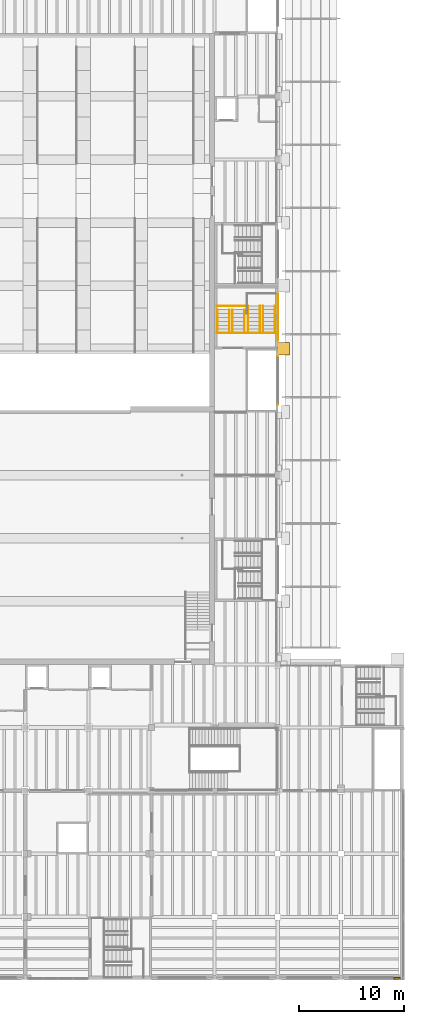
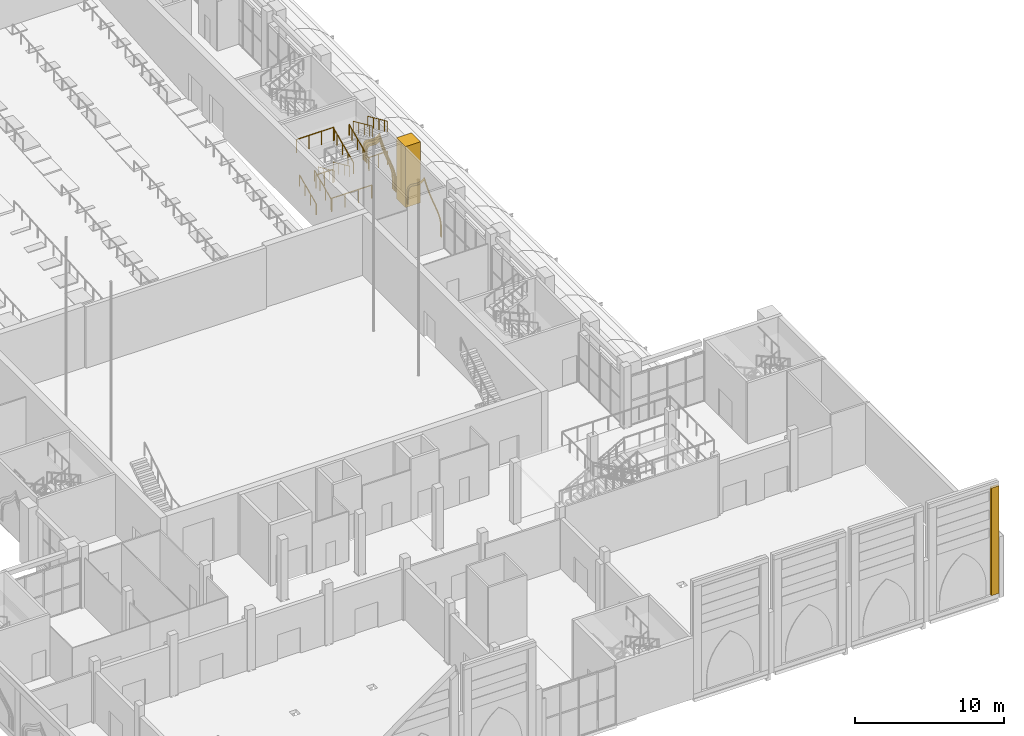
# One storey, part 66 of 80: 12 railings, 6 coverings.
"""IFC4 building model written with IfcOpenShell, lengths in metres."""

from ifc_helpers import new_model, si_unit, direction, frame, origin, origin_2d, place, context, subcontext, project, spatial, polyline, rectangle, circle, outline, extrude, material, layer, layer_set, type_object, element, save


model = new_model("IFC4")

# Units and contexts
model_context = context("Model", 3, precision=1e-05, world=origin(), true_north=direction((0.0, 1.0)))
body_context = subcontext(model_context, "Body", "Model", "MODEL_VIEW")
ifc_project = project(units=[si_unit("LENGTHUNIT", "METRE"), si_unit("AREAUNIT", "SQUARE_METRE"), si_unit("VOLUMEUNIT", "CUBIC_METRE"), si_unit("PLANEANGLEUNIT", "RADIAN"), si_unit("MASSUNIT", "GRAM", prefix="KILO")], contexts=[model_context])

# Site, building, storey
site_placement = place(None, origin())
site = spatial("IfcSite", under=ifc_project, at=site_placement, CompositionType="ELEMENT")
building_placement = place(site_placement, origin())
building = spatial("IfcBuilding", under=site, at=building_placement, Name="Saffron Lane Theatres", CompositionType="ELEMENT")
storey_placement = place(building_placement, frame((0.0, 0.0, 7.0)))
storey = spatial("IfcBuildingStorey", under=building, at=storey_placement, Name="L01", CompositionType="ELEMENT", Elevation=7.0)

# Coverings
ifc_material_1 = material(Name="Masonry sandstone", Category="masonry")
ifc_layer_1 = layer(ifc_material_1, 0.050048828125)
ifc_layer_set_1 = layer_set([ifc_layer_1], Name="Masonry sandstone")
covering_type_1 = type_object("IfcCoveringType", Name="EX-ARCH FRAME RING SANDSTONE 50", PredefinedType="CLADDING", material=ifc_layer_set_1)
covering_1_placement = place(storey_placement, frame((54.0, 61.2099609375, 1.2958984375), z_axis=(-1.0, 0.0, 0.0), x_axis=(0.0, 0.06442827163, 0.997922340573)))
element("IfcCovering", 1, at=covering_1_placement, inside=storey, type_object=covering_type_1, Name="Arch recess ring L01", PredefinedType="CLADDING", context=body_context, shape_type="SweptSolid", body=[
    extrude(outline(polyline([(0.0, 0.0), (0.17052029873114202, 1.734723475976807e-18), (0.3242466721669218, 0.024081254977071236), (0.46344242900309285, 0.06940650212296195), (0.5880131918886352, 0.13451394113409834), (0.7023363221821465, 0.21520657625605405), (0.8097754985831224, 0.31053329351799586), (0.9118316705185227, 0.41721675201932407), (1.013479573024326, 0.5327339305761084), (1.1188295145103184, 0.6563301599259349), (1.228274384393338, 0.786512180648223), (1.3482821771299438, 0.9211498609758806), (1.4813912939168246, 1.0578774753100109), (1.6295508018254126, 1.196569187182587), (1.7967137136804603, 1.3340339934919052), (1.986958878774747, 1.469029958207694), (2.2768445051640707, 1.6467673279258968), (2.012220549731055, 1.8603051727976225), (1.8409137730747478, 2.018643802332316), (1.692815086125706, 2.1764626573449113), (1.563719803123124, 2.333054606794249), (1.4492974018381697, 2.4857634525677375), (1.3475988151994112, 2.6347150311334024), (1.2558025099571002, 2.7778896671794207), (1.167220277835631, 2.914006625097878), (1.0812704747161264, 3.041635563702207), (0.9937798739547866, 3.160556618719107), (0.8994906084625739, 3.2689074104217855), (0.7964927602914423, 3.3636308117286897), (0.6813282733908765, 3.4442161363070785), (0.5491164405301731, 3.5070641116256507), (0.39976288435831203, 3.550712937380834), (0.2306582458924675, 3.5726399419344412), (-0.6634762731268586, 3.630367421641571), (-0.6712152159104848, 3.510499796748517), (0.21902116896597779, 3.4530239899774404), (0.37503252293367106, 3.4329209151187268), (0.50685251501477, 3.394318481277149), (0.6205328306841129, 3.340006413039703), (0.7222114932154338, 3.270322371595594), (0.8140812030640937, 3.185124790918292), (0.8998751087815435, 3.0853958945498916), (0.9836171809786733, 2.9728330766257725), (1.06683213819307, 2.84831649333063), (1.1541962033948943, 2.712278183204689), (1.248122290858553, 2.5679874475964257), (1.3515811898667036, 2.415986431955586), (1.4686755188227527, 2.2591906973371945), (1.6025567821592739, 2.097152126096779), (1.7564159829779704, 1.933823731059093), (1.9331924514444936, 1.7692603909060247), (2.069268862056587, 1.6601689117707128), (1.9202942134717833, 1.569481016084268), (1.723824337759122, 1.4290153595582635), (1.5502402705772806, 1.2868274911490194), (1.396634140877615, 1.143349798942504), (1.2603497505475334, 1.0029128051675502), (1.1382041360374564, 0.8654773607007713), (1.0265036474650626, 0.734462372469297), (0.9223718728987153, 0.6107874953269541), (0.8238363257020991, 0.4980051626752776), (0.7263151602560739, 0.39714513627761755), (0.6284094944910791, 0.3092763270207095), (0.5263470307322774, 0.23659947491203817), (0.41655191601325103, 0.1805686902487979), (0.29683144987863896, 0.14132553905751855), (0.16114198640572697, 0.11999416045256957), (0.0038408086407626125, 0.12011929782910696), (-0.8863955762357, 0.17759510460018418), (-0.8941345190193262, 0.057727479707130096), (0.0, 0.0)])), origin(), (0.0, 0.0, -1.0), 0.050048828125),
])
covering_2_placement = place(storey_placement, frame((54.0, 60.949951171875, 1.297119140625), z_axis=(-1.0, 0.0, 0.0), x_axis=(0.0, 0.067277250526, 0.997734319126)))
element("IfcCovering", 2, at=covering_2_placement, inside=storey, type_object=covering_type_1, Name="Arch recess ring L01", PredefinedType="CLADDING", context=body_context, shape_type="SweptSolid", body=[
    extrude(outline(polyline([(0.0, 0.0), (0.19233029031026627, -1.734723475976807e-18), (0.3686361813310119, 0.027262893416721473), (0.5275519096710343, 0.07967851847782519), (0.6708947742924419, 0.15516677446133414), (0.801502910238719, 0.24864238533224844), (0.9231258912040249, 0.3576502620084015), (1.0375317408204932, 0.47937954132705035), (1.1516202449156105, 0.6109180202958803), (1.2681994774824994, 0.7503634852332024), (1.390304674884545, 0.8955537098670809), (1.5227911616168623, 1.045916604517425), (1.6694413615935944, 1.199484255062579), (1.8330304985878798, 1.3538672728603438), (2.016903096883326, 1.5078613564498122), (2.2254737921748915, 1.6579877914978223), (2.5852450627263814, 1.8803809916168035), (2.258586813918305, 2.1490601516926007), (2.0721243166756658, 2.326802465068287), (1.9105241675290636, 2.5031130047050683), (1.7691417792436548, 2.6780602602125323), (1.6444355262159311, 2.849925483288521), (1.5333345326929018, 3.016713487930638), (1.4318264232205393, 3.1769819635369636), (1.3350887235237119, 3.3317901747481), (1.2396262941592646, 3.4764798983888334), (1.142598210914092, 3.6124661731803407), (1.0367104853209044, 3.7368151025888094), (0.9198337413277493, 3.846978625211365), (0.7879227532606154, 3.941027255485577), (0.6374823816763479, 4.014302770236232), (0.4664325258529695, 4.064987870501222), (0.27584329720183115, 4.090808143408288), (-0.619340692736567, 4.151170422628053), (-0.632792857819829, 3.951672276298924), (0.2563014451121856, 3.8917206248289538), (0.4241248514992556, 3.8693930121031563), (0.5646332999700076, 3.8266400003332506), (0.6859993674224233, 3.7685384980453724), (0.7931577147319555, 3.6920641156468856), (0.8911443426036292, 3.5993242257405083), (0.9838402256115377, 3.4898124390861174), (1.0746555884792561, 3.363298804143827), (1.16632195798919, 3.224003644458316), (1.2624602961251856, 3.071193408419198), (1.3657200041196895, 2.9078704821698738), (1.480373470016977, 2.735704338682526), (1.6104494943810679, 2.55638087603933), (1.7586139035544, 2.3731460678639413), (1.9292841224015533, 2.1861914371370204), (2.126083902075996, 1.9984536695620012), (2.2420303030465982, 1.9035239715952113), (2.114389223761854, 1.8250193836201942), (1.8941672372391434, 1.6654014043510899), (1.6999434106637878, 1.5030515883918443), (1.5285210457421055, 1.3413665245256619), (1.3755484180494837, 1.1811290396929053), (1.2388196043232536, 1.0259136097170671), (1.1145686057592639, 0.8779317362000586), (0.9987858360731082, 0.7394113458537825), (0.8892489468921257, 0.6136833270214762), (0.7822712757925029, 0.5005068813925057), (0.6757125999515381, 0.40443083471138436), (0.5661626946456565, 0.32568513851799763), (0.4497077350807808, 0.2642890070919583), (0.3216402227517218, 0.22300681743565523), (0.17674626991316658, 0.20072197197738367), (0.0073624780768782, 0.19990877407892305), (-0.8817318248551363, 0.2598604255488935), (-0.8951839899383982, 0.06036227921976477), (0.0, 0.0)])), origin(), (0.0, 0.0, -1.0), 0.050048828125),
])
covering_3_placement = place(storey_placement, frame((54.0, 60.75, 1.2958984375), z_axis=(-1.0, 0.0, 0.0), x_axis=(0.0, 0.067065646472, 0.997748565052)))
element("IfcCovering", 3, at=covering_3_placement, inside=storey, type_object=covering_type_1, Name="Arch recess ring L01", PredefinedType="CLADDING", context=body_context, shape_type="SweptSolid", body=[
    extrude(outline(polyline([(0.0, 0.0), (0.2074984191926236, -1.734723475976807e-18), (0.39502209255405735, 0.030460934429599087), (0.5642577725688886, 0.08735436036579791), (0.717006825863624, 0.16835697159344967), (0.8571974438937694, 0.27002373702473836), (0.9873453927117799, 0.38973863913971574), (1.112807662625058, 0.5234712242409627), (1.2368962863562354, 0.6695307182950527), (1.364579312989259, 0.8253809602518462), (1.4999159215703994, 0.9895256466896439), (1.6475487029811116, 1.1582270352158286), (1.809442758336358, 1.3315977291979), (1.9914586333089161, 1.5058181189990125), (2.196681143111999, 1.6794573949928495), (2.42863316452881, 1.85032122778061), (2.776077461779361, 2.068477613157778), (2.4609543525500626, 2.3311697793950295), (2.253955467173975, 2.531538567002596), (2.073817081002381, 2.7310806390702025), (1.9167543420705462, 2.928092869664417), (1.7795187006768023, 3.1215701588289084), (1.655791154580694, 3.3085115693691134), (1.54363934956495, 3.48929167983406), (1.4379622381804387, 3.6608276857849567), (1.334536906892433, 3.8221799810608545), (1.2281005845377642, 3.971500089463132), (1.1151447570076538, 4.107555693526036), (0.9898212305293306, 4.22706951819905), (0.8492867700734272, 4.327785761836828), (0.6892529683098338, 4.407790454445362), (0.5074272551466756, 4.462099173491861), (0.3017954091224526, 4.4898685427340315), (-0.5921834077088134, 4.549959099997454), (-0.6015653938973532, 4.410381480911809), (0.2885159676016784, 4.350552898829917), (0.4771455668939128, 4.324660443881734), (0.6383663000720692, 4.276875251559516), (0.7770827331991319, 4.207357034802879), (0.9003937617368865, 4.119788383334645), (1.0125694087921775, 4.012169438367741), (1.1171836822691663, 3.886706881200974), (1.2179231934395136, 3.74364229201819), (1.3196781456917779, 3.586562030623556), (1.4243808932432305, 3.4150915184680417), (1.538415932129709, 3.233206056579271), (1.6638302307104045, 3.0422362031160675), (1.804928569764272, 2.844339519030701), (1.9667137560473695, 2.6411372630123773), (2.1531978590338507, 2.434072596587418), (2.367842283260377, 2.2273173021695953), (2.5385762774713267, 2.0844417257822565), (2.350257199200182, 1.9657006129933607), (2.109873713388342, 1.789530921019154), (1.8973558267373267, 1.6092859638033192), (1.7098315788689158, 1.4295632334296131), (1.5435181285927948, 1.2523298417874182), (1.3936746443344354, 1.0798619855197642), (1.2563238142917952, 0.9148739228396727), (1.1296151514918304, 0.7589581870874968), (1.0077536040571458, 0.616908751733141), (0.8888395646681613, 0.4895873772421637), (0.7683102989132307, 0.3782795229756905), (0.6428066644976057, 0.2876154279151693), (0.5088201473125074, 0.216362774594851), (0.3620479773534, 0.1660342398852799), (0.1958824626238666, 0.14025496281157382), (0.005484530856305384, 0.13983959426717443), (-0.8845968306427262, 0.19966817634906692), (-0.893978816831266, 0.06009055726342237), (0.0, 0.0)])), origin(), (0.0, 0.0, -1.0), 0.050048828125),
])
covering_4_placement = place(storey_placement, frame((54.0, 54.699951171875, 1.236083984375), z_axis=(-1.0, 0.0, 0.0), x_axis=(0.0, 0.071247049988, 0.997458699831)))
element("IfcCovering", 4, at=covering_4_placement, inside=storey, type_object=covering_type_1, Name="Arch recess ring L01", PredefinedType="CLADDING", context=body_context, shape_type="SweptSolid", body=[
    extrude(outline(polyline([(0.0, 0.0), (0.2124539718145333, -1.734723475976807e-18), (0.40399999585429425, 0.029396365839738106), (0.5774211600094357, 0.08603220440434597), (0.7338828823339589, 0.16908998362609123), (0.8766031082008531, 0.27222078425556295), (1.01062618441102, 0.3940852452456252), (1.1395527309223448, 0.5302652145706606), (1.267453013774176, 0.6794909083807866), (1.3991626481756534, 0.8375007233442073), (1.5384040141798565, 1.0050078257327741), (1.690012726995926, 1.1777506122146908), (1.8569806061057759, 1.353067754994999), (2.0442302382151136, 1.531341928658594), (2.254353373921644, 1.707737517996336), (2.4933858350871354, 1.8810891049542235), (2.847951232292592, 2.1024837466158726), (2.5284527425030596, 2.3720258087771637), (2.3164858110693034, 2.5775916380635686), (2.133567359489016, 2.7820616264932267), (1.9735572001045478, 2.9851400709778075), (1.8332025989442835, 3.1824088194916955), (1.7076853350983958, 3.374946318592323), (1.5936657030987016, 3.560543492266883), (1.4857514701580299, 3.7356692977547428), (1.380359410617809, 3.901558730307158), (1.2720972916908682, 4.0546807471634985), (1.1567556929433513, 4.194356970650539), (1.03021216543797, 4.317699947082244), (0.8870744763875528, 4.421178633697985), (0.7234636970451997, 4.501888182512413), (0.5380404663637747, 4.55821092368938), (0.32774338766410976, 4.588407427297536), (-0.5063132644160335, 4.647982902446118), (-0.5162975922219565, 4.508202313163197), (0.3136192166215847, 4.448922541102944), (0.5072699508782736, 4.422117925860912), (0.6720287539753147, 4.371187417471117), (0.8143663052573129, 4.301053602639268), (0.9402662436880966, 4.209820502740199), (1.0547555217692541, 4.099331913501136), (1.1608259589826997, 3.9703531840918704), (1.2646525315847097, 3.823667057981509), (1.3674006576292854, 3.6618826800670687), (1.4740972896180153, 3.486843846075776), (1.5899955059435626, 3.3001334372451554), (1.7174957199111842, 3.1045171471660464), (1.861311786634826, 2.9008820851034343), (2.025844463840792, 2.6925853508248165), (2.2153205662622524, 2.480548842193806), (2.434575709108346, 2.2673643098081078), (2.610519046663938, 2.119443188446491), (2.4153376140676652, 1.9980309792385782), (2.168008072129656, 1.8181739243374588), (1.9503184162217726, 1.6352206841585444), (1.7578504943183986, 1.452423992673451), (1.5865514346794987, 1.2712971539224491), (1.4325423085581723, 1.0957886738496931), (1.2912832038336084, 0.9274466450940806), (1.1607911703840728, 0.7693498586340927), (1.0360914386059175, 0.6238117562784188), (0.9124701533851963, 0.49337190572682343), (0.7891445712528039, 0.3807786062708325), (0.6601136589455984, 0.287684316345224), (0.5225247513761733, 0.21527184830331295), (0.3716639934305824, 0.16608076984486358), (0.20140859175048967, 0.14005889807193567), (0.0058444845693207135, 0.1400762923712491), (-0.8240723242742205, 0.19935606443150206), (-0.8340566520801433, 0.05957547514858168), (0.0, 0.0)])), origin(), (0.0, 0.0, -1.0), 0.050048828125),
])
ifc_material_2 = material(Name="Masonry sandstone", Category="masonry")
ifc_layer_2 = layer(ifc_material_2, 1.199951171875)
ifc_layer_set_2 = layer_set([ifc_layer_2], Name="Masonry sandstone")
covering_type_2 = type_object("IfcCoveringType", Name="EX-FLANK BUTTRESS PIER SANDSTONE 1200", PredefinedType="CLADDING", material=ifc_layer_set_2)
covering_5_placement = place(storey_placement, frame((54.52490234375, 60.0, 0.0), z_axis=(0.0, 0.0, 1.0), x_axis=(0.0, 1.0, 0.0)))
element("IfcCovering", 5, at=covering_5_placement, inside=storey, type_object=covering_type_2, Name="Flank buttress east L01", PredefinedType="CLADDING", context=body_context, shape_type="SweptSolid", body=[
    extrude(rectangle(XDim=1.199951171875, YDim=1.14990234375, at=origin_2d()), origin(), (0.0, 0.0, 1.0), 5.0),
])
ifc_material_3 = material(Name="Masonry sandstone", Category="masonry")
ifc_layer_3 = layer(ifc_material_3, 0.14990234375)
ifc_layer_set_3 = layer_set([ifc_layer_3], Name="Masonry sandstone")
covering_type_3 = type_object("IfcCoveringType", Name="EX-PILASTER STRIP SANDSTONE 600", PredefinedType="CLADDING", material=ifc_layer_set_3)
covering_6_placement = place(storey_placement, frame((65.340087890625, 0.155029296875, 0.35009765625), z_axis=(0.0, 0.0, 1.0), x_axis=(-1.0, 0.0, 0.0)))
element("IfcCovering", 6, at=covering_6_placement, inside=storey, type_object=covering_type_3, Name="Pilaster strip L01", PredefinedType="CLADDING", context=body_context, shape_type="SweptSolid", body=[
    extrude(rectangle(XDim=0.60009765625, YDim=0.18994140625, at=origin_2d()), origin(), (0.0, 0.0, 1.0), 8.800048828125),
])

# Railings
ifc_material_4 = material(Name="Steel Grade 350", Category="steel")
railing_type_1 = type_object("IfcRailingType", Name="VC-GUARD 1100", PredefinedType="GUARDRAIL", material=ifc_material_4)
railing_1_placement = place(storey_placement, frame((48.22998046875, 64.090087890625, 3.666748046875)))
element("IfcRailing", 7, at=railing_1_placement, inside=storey, type_object=railing_type_1, Name="Auditorium East Front Stair landing guard 2N2s", PredefinedType="GUARDRAIL", context=body_context, shape_type="SweptSolid", body=[
    extrude(circle(Radius=0.02392578125, at=origin_2d()), frame((0.0, 0.0, 1.076171875), z_axis=(1.0, 0.0, 0.0), x_axis=(0.0, 1.0, 0.0)), (0.0, 0.0, 1.0), 2.8701171875),
    extrude(circle(Radius=0.02099609375, at=origin_2d()), origin(), (0.0, 0.0, 1.0), 1.052001953125),
    extrude(circle(Radius=0.02099609375, at=origin_2d()), frame((0.956787109375, 0.0, 0.0)), (0.0, 0.0, 1.0), 1.052001953125),
    extrude(circle(Radius=0.02099609375, at=origin_2d()), frame((1.913330078125, 0.0, 0.0)), (0.0, 0.0, 1.0), 1.052001953125),
    extrude(circle(Radius=0.02099609375, at=origin_2d()), frame((2.8701171875, 0.0, 0.0)), (0.0, 0.0, 1.0), 1.052001953125),
])
railing_2_placement = place(storey_placement, frame((48.22998046875, 61.5, 2.333251953125)))
element("IfcRailing", 8, at=railing_2_placement, inside=storey, type_object=railing_type_1, Name="Auditorium East Front Stair landing guard 2S2w", PredefinedType="GUARDRAIL", context=body_context, shape_type="SweptSolid", body=[
    extrude(circle(Radius=0.02392578125, at=origin_2d()), frame((0.0, 0.0, 1.076171875), z_axis=(1.0, 0.0, 0.0), x_axis=(0.0, 1.0, 0.0)), (0.0, 0.0, 1.0), 1.320068359375),
    extrude(circle(Radius=0.02099609375, at=origin_2d()), origin(), (0.0, 0.0, 1.0), 1.052001953125),
    extrude(circle(Radius=0.02099609375, at=origin_2d()), frame((0.66015625, 0.0, 0.0)), (0.0, 0.0, 1.0), 1.052001953125),
    extrude(circle(Radius=0.02099609375, at=origin_2d()), frame((1.320068359375, 0.0, 0.0)), (0.0, 0.0, 1.0), 1.052001953125),
])
railing_3_placement = place(storey_placement, frame((52.35009765625, 61.5, 2.333251953125)))
element("IfcRailing", 9, at=railing_3_placement, inside=storey, type_object=railing_type_1, Name="Auditorium East Front Stair landing guard 2S2e", PredefinedType="GUARDRAIL", context=body_context, shape_type="SweptSolid", body=[
    extrude(circle(Radius=0.02392578125, at=origin_2d()), frame((0.0, 0.0, 1.076171875), z_axis=(1.0, 0.0, 0.0), x_axis=(0.0, 1.0, 0.0)), (0.0, 0.0, 1.0), 1.419921875),
    extrude(circle(Radius=0.02099609375, at=origin_2d()), origin(), (0.0, 0.0, 1.0), 1.052001953125),
    extrude(circle(Radius=0.02099609375, at=origin_2d()), frame((0.7099609375, 0.0, 0.0)), (0.0, 0.0, 1.0), 1.052001953125),
    extrude(circle(Radius=0.02099609375, at=origin_2d()), frame((1.419921875, 0.0, 0.0)), (0.0, 0.0, 1.0), 1.052001953125),
])
railing_4_placement = place(storey_placement, frame((49.449951171875, 61.5, 0.0)))
element("IfcRailing", 10, at=railing_4_placement, inside=storey, type_object=railing_type_1, Name="Auditorium East Front Stair guard L01", PredefinedType="GUARDRAIL", context=body_context, shape_type="SweptSolid", body=[
    extrude(circle(Radius=0.02392578125, at=origin_2d()), frame((0.0, 0.0, 1.076171875), z_axis=(1.0, 0.0, 0.0), x_axis=(0.0, 1.0, 0.0)), (0.0, 0.0, 1.0), 3.10009765625),
    extrude(circle(Radius=0.02099609375, at=origin_2d()), origin(), (0.0, 0.0, 1.0), 1.052001953125),
    extrude(circle(Radius=0.02099609375, at=origin_2d()), frame((1.033447265625, 0.0, 0.0)), (0.0, 0.0, 1.0), 1.052001953125),
    extrude(circle(Radius=0.02099609375, at=origin_2d()), frame((2.066650390625, 0.0, 0.0)), (0.0, 0.0, 1.0), 1.052001953125),
    extrude(circle(Radius=0.02099609375, at=origin_2d()), frame((3.10009765625, 0.0, 0.0)), (0.0, 0.0, 1.0), 1.052001953125),
])
ifc_material_5 = material(Name="Steel Grade 350", Category="steel")
railing_type_2 = type_object("IfcRailingType", Name="VC-HANDRAIL 900", PredefinedType="HANDRAIL", material=ifc_material_5)
for number, where, name in (
    (11, (48.25, 61.5, 0.166748046875), "Auditorium East Front Stair handrail 2.1a"),
    (12, (49.39990234375, 61.5, 0.166748046875), "Auditorium East Front Stair handrail 2.1b"),
):
    element("IfcRailing", number, at=place(storey_placement, frame(where)), inside=storey, type_object=railing_type_2, Name=name, PredefinedType="HANDRAIL", context=body_context, shape_type="SweptSolid", body=[
        extrude(circle(Radius=0.02392578125, at=origin_2d()), frame((0.0, 0.0, 0.8759765625), z_axis=(0.0, 0.911803263409, 0.410627335715), x_axis=(-1.0, 0.0, 0.0)), (0.0, 0.0, 1.0), 0.8115234375),
        extrude(circle(Radius=0.02392578125, at=origin_2d()), frame((0.0, 0.739990234375, 1.208984375), z_axis=(0.0, 0.911803263409, 0.410627335715), x_axis=(-1.0, 0.0, 0.0)), (0.0, 0.0, 1.0), 0.8115234375),
        extrude(circle(Radius=0.02392578125, at=origin_2d()), frame((0.0, 1.47998046875, 1.54248046875), z_axis=(0.0, 0.911690610408, 0.410877391559), x_axis=(-1.0, 0.0, 0.0)), (0.0, 0.0, 1.0), 0.811767578125),
        extrude(circle(Radius=0.02099609375, at=origin_2d()), origin(), (0.0, 0.0, 1.0), 0.851806640625),
        extrude(circle(Radius=0.02099609375, at=origin_2d()), frame((0.0, 0.739990234375, 0.333251953125)), (0.0, 0.0, 1.0), 0.851806640625),
        extrude(circle(Radius=0.02099609375, at=origin_2d()), frame((0.0, 1.47998046875, 0.66650390625)), (0.0, 0.0, 1.0), 0.851806640625),
        extrude(circle(Radius=0.02099609375, at=origin_2d()), frame((0.0, 2.219970703125, 1.0)), (0.0, 0.0, 1.0), 0.851806640625),
    ])
for number, where, name in (
    (13, (49.699951171875, 63.719970703125, 1.333251953125), "Auditorium East Front Stair handrail 2.2a"),
    (14, (50.85009765625, 63.719970703125, 1.333251953125), "Auditorium East Front Stair handrail 2.2b"),
):
    element("IfcRailing", number, at=place(storey_placement, frame(where)), inside=storey, type_object=railing_type_2, Name=name, PredefinedType="HANDRAIL", context=body_context, shape_type="SweptSolid", body=[
        extrude(circle(Radius=0.02392578125, at=origin_2d()), frame((0.0, 0.0, 0.8759765625), z_axis=(0.0, -0.911690610408, 0.410877391559), x_axis=(1.0, 0.0, 0.0)), (0.0, 0.0, 1.0), 0.811767578125),
        extrude(circle(Radius=0.02392578125, at=origin_2d()), frame((0.0, -0.739990234375, 1.20947265625), z_axis=(0.0, -0.911803263409, 0.410627335715), x_axis=(1.0, 0.0, 0.0)), (0.0, 0.0, 1.0), 0.8115234375),
        extrude(circle(Radius=0.02392578125, at=origin_2d()), frame((0.0, -1.47998046875, 1.54248046875), z_axis=(0.0, -0.911803263409, 0.410627335715), x_axis=(1.0, 0.0, 0.0)), (0.0, 0.0, 1.0), 0.8115234375),
        extrude(circle(Radius=0.02099609375, at=origin_2d()), origin(), (0.0, 0.0, 1.0), 0.851806640625),
        extrude(circle(Radius=0.02099609375, at=origin_2d()), frame((0.0, -0.739990234375, 0.33349609375)), (0.0, 0.0, 1.0), 0.851806640625),
        extrude(circle(Radius=0.02099609375, at=origin_2d()), frame((0.0, -1.47998046875, 0.666748046875)), (0.0, 0.0, 1.0), 0.851806640625),
        extrude(circle(Radius=0.02099609375, at=origin_2d()), frame((0.0, -2.219970703125, 1.0)), (0.0, 0.0, 1.0), 0.851806640625),
    ])
for number, where, name in (
    (15, (51.14990234375, 61.5, 2.5), "Auditorium East Front Stair handrail 2.3a"),
    (16, (52.300048828125, 61.5, 2.5), "Auditorium East Front Stair handrail 2.3b"),
):
    element("IfcRailing", number, at=place(storey_placement, frame(where)), inside=storey, type_object=railing_type_2, Name=name, PredefinedType="HANDRAIL", context=body_context, shape_type="SweptSolid", body=[
        extrude(circle(Radius=0.02392578125, at=origin_2d()), frame((0.0, 0.0, 0.8759765625), z_axis=(0.0, 0.911803263409, 0.410627335715), x_axis=(-1.0, 0.0, 0.0)), (0.0, 0.0, 1.0), 0.8115234375),
        extrude(circle(Radius=0.02392578125, at=origin_2d()), frame((0.0, 0.739990234375, 1.208984375), z_axis=(0.0, 0.911690610408, 0.410877391559), x_axis=(-1.0, 0.0, 0.0)), (0.0, 0.0, 1.0), 0.811767578125),
        extrude(circle(Radius=0.02392578125, at=origin_2d()), frame((0.0, 1.47998046875, 1.54248046875), z_axis=(0.0, 0.911803263409, 0.410627335715), x_axis=(-1.0, 0.0, 0.0)), (0.0, 0.0, 1.0), 0.8115234375),
        extrude(circle(Radius=0.02392578125, at=origin_2d()), frame((0.0, 2.219970703125, 1.8759765625), z_axis=(0.0, 0.911741368748, 0.410764745947), x_axis=(-1.0, 0.0, 0.0)), (0.0, 0.0, 1.0), 0.406005859375),
        extrude(circle(Radius=0.02099609375, at=origin_2d()), origin(), (0.0, 0.0, 1.0), 0.851806640625),
        extrude(circle(Radius=0.02099609375, at=origin_2d()), frame((0.0, 0.739990234375, 0.333251953125)), (0.0, 0.0, 1.0), 0.851806640625),
        extrude(circle(Radius=0.02099609375, at=origin_2d()), frame((0.0, 1.47998046875, 0.666748046875)), (0.0, 0.0, 1.0), 0.851806640625),
        extrude(circle(Radius=0.02099609375, at=origin_2d()), frame((0.0, 2.219970703125, 1.0)), (0.0, 0.0, 1.0), 0.851806640625),
        extrude(circle(Radius=0.02099609375, at=origin_2d()), frame((0.0, 2.590087890625, 1.166748046875)), (0.0, 0.0, 1.0), 0.851806640625),
    ])
for number, where, name in (
    (17, (52.60009765625, 64.090087890625, 3.833251953125), "Auditorium East Front Stair handrail 2.4a"),
    (18, (53.75, 64.090087890625, 3.833251953125), "Auditorium East Front Stair handrail 2.4b"),
):
    element("IfcRailing", number, at=place(storey_placement, frame(where)), inside=storey, type_object=railing_type_2, Name=name, PredefinedType="HANDRAIL", context=body_context, shape_type="SweptSolid", body=[
        extrude(circle(Radius=0.02392578125, at=origin_2d()), frame((0.0, 0.0, 0.8759765625), z_axis=(0.0, -0.911690610408, 0.410877391559), x_axis=(1.0, 0.0, 0.0)), (0.0, 0.0, 1.0), 0.811767578125),
        extrude(circle(Radius=0.02392578125, at=origin_2d()), frame((0.0, -0.739990234375, 1.20947265625), z_axis=(0.0, -0.911803263409, 0.410627335715), x_axis=(1.0, 0.0, 0.0)), (0.0, 0.0, 1.0), 0.8115234375),
        extrude(circle(Radius=0.02392578125, at=origin_2d()), frame((0.0, -1.47998046875, 1.54248046875), z_axis=(0.0, -0.911803263409, 0.410627335715), x_axis=(1.0, 0.0, 0.0)), (0.0, 0.0, 1.0), 0.8115234375),
        extrude(circle(Radius=0.02392578125, at=origin_2d()), frame((0.0, -2.219970703125, 1.8759765625), z_axis=(0.0, -0.911741368748, 0.410764745947), x_axis=(1.0, 0.0, 0.0)), (0.0, 0.0, 1.0), 0.406005859375),
        extrude(circle(Radius=0.02099609375, at=origin_2d()), origin(), (0.0, 0.0, 1.0), 0.851806640625),
        extrude(circle(Radius=0.02099609375, at=origin_2d()), frame((0.0, -0.739990234375, 0.33349609375)), (0.0, 0.0, 1.0), 0.851806640625),
        extrude(circle(Radius=0.02099609375, at=origin_2d()), frame((0.0, -1.47998046875, 0.666748046875)), (0.0, 0.0, 1.0), 0.851806640625),
        extrude(circle(Radius=0.02099609375, at=origin_2d()), frame((0.0, -2.219970703125, 1.0)), (0.0, 0.0, 1.0), 0.851806640625),
        extrude(circle(Radius=0.02099609375, at=origin_2d()), frame((0.0, -2.590087890625, 1.166748046875)), (0.0, 0.0, 1.0), 0.851806640625),
    ])

save(model, "model.ifc")
